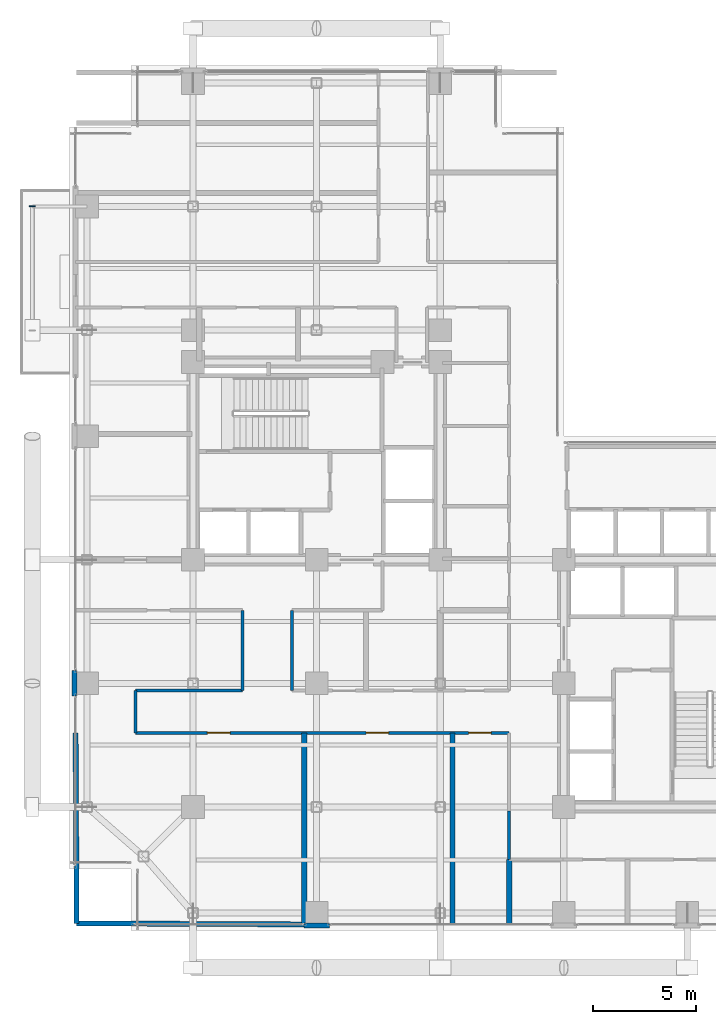
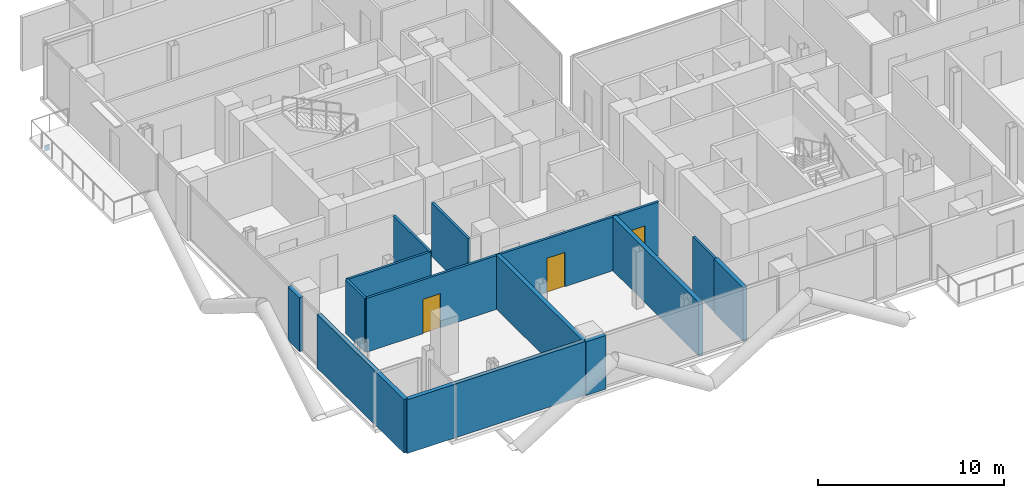
# One storey, part 21 of 28: 13 walls, 3 doors, 1 plate, 3 openings.
"""IFC4 building model written with IfcOpenShell, lengths in metres."""

from ifc_helpers import new_model, si_unit, direction, frame, frame_2d, origin, origin_2d, place, context, subcontext, project, spatial, rectangle, extrude, material, layer, layer_set, type_object, element, fill, save


model = new_model("IFC4")

# Units and contexts
model_context = context("Model", 3, precision=1e-05, world=origin(), true_north=direction((0.0, 1.0)))
body_context = subcontext(model_context, "Body", "Model", "MODEL_VIEW")
ifc_project = project(units=[si_unit("LENGTHUNIT", "METRE"), si_unit("AREAUNIT", "SQUARE_METRE"), si_unit("VOLUMEUNIT", "CUBIC_METRE"), si_unit("PLANEANGLEUNIT", "RADIAN"), si_unit("MASSUNIT", "GRAM", prefix="KILO"), si_unit("THERMODYNAMICTEMPERATUREUNIT", "KELVIN"), si_unit("POWERUNIT", "WATT")], contexts=[model_context])

# Site, building, storey
site_placement = place(None, origin())
site = spatial("IfcSite", under=ifc_project, at=site_placement, CompositionType="ELEMENT")
building_placement = place(site_placement, origin())
building = spatial("IfcBuilding", under=site, at=building_placement, Name="Svarakhadi Broadcast Tower", CompositionType="ELEMENT")
storey_placement = place(building_placement, frame((0.0, 0.0, 134.39990234375)))
storey = spatial("IfcBuildingStorey", under=building, at=storey_placement, Name="L32", CompositionType="ELEMENT", Elevation=134.39990234375)

# Plate
ifc_material_1 = material(Name="Steel S460ML (IS 2062 E450BR)", Category="steel")
ifc_layer_1 = layer(ifc_material_1, 0.028076171875)
ifc_layer_set_1 = layer_set([ifc_layer_1], Name="Steel S460ML (IS 2062 E450BR)")
plate_type = type_object("IfcPlateType", Name="Cap_Plate_CP02", PredefinedType="USERDEFINED", material=ifc_layer_set_1)
plate_placement = place(storey_placement, frame((-1.800048828125, 35.1650390625, -0.55517578125), z_axis=(0.0, 0.0, 1.0), x_axis=(1.0, 0.0, 0.0)))
element("IfcPlate", 1, at=plate_placement, inside=storey, type_object=plate_type, Name="L32 Balcony Spandrel End Cap Plate 2F-B", ObjectType="FLANGE_PLATE", PredefinedType="USERDEFINED", context=body_context, shape_type="SweptSolid", body=[
    extrude(rectangle(XDim=0.300048828125, YDim=0.0400390625, at=origin_2d()), origin(), (0.0, 0.0, 1.0), 0.360107421875),
])

# Walls
ifc_material_2 = material(Name="Double-Stud Acoustic Studio Partition STC-62", Category="gypsum")
ifc_layer_2 = layer(ifc_material_2, 0.25)
ifc_layer_set_2 = layer_set([ifc_layer_2], Name="Double-Stud Acoustic Studio Partition STC-62")
wall_type_1 = type_object("IfcWallType", Name="Wall_Acoust_250", PredefinedType="PARTITIONING", material=ifc_layer_set_2)
wall_1_placement = place(storey_placement, frame((21.35009765625, 0.300048828125, 0.0), z_axis=(0.0, 0.0, 1.0), x_axis=(0.0, 1.0, 0.0)))
element("IfcWall", 2, at=wall_1_placement, inside=storey, type_object=wall_type_1, Name="L32 Harbour Front Production Office Wall", PredefinedType="PARTITIONING", context=body_context, shape_type="SweptSolid", body=[
    extrude(rectangle(XDim=3.14990234375, YDim=0.25, at=frame_2d((1.574951171875, 0.0))), origin(), (0.0, 0.0, 1.0), 3.525146484375),
])
wall_2_placement = place(storey_placement, frame((0.35009765625, 0.35009765625, 0.0), z_axis=(0.0, 0.0, 1.0), x_axis=(0.999989714785, -0.004535451924, 0.0)))
element("IfcWall", 3, at=wall_2_placement, inside=storey, type_object=wall_type_1, Name="L32 Dolby Cinema Screening Theatre Wall", PredefinedType="PARTITIONING", context=body_context, shape_type="SweptSolid", body=[
    extrude(rectangle(XDim=11.034912109375, YDim=0.25, at=frame_2d((5.517578125, 0.0))), origin(), (0.0, 0.0, 1.0), 3.525146484375),
])
wall_3_placement = place(storey_placement, frame((0.35009765625, 0.35009765625, 0.0), z_axis=(0.0, 0.0, 1.0), x_axis=(-0.005410604923, 0.99998536257, 0.0)))
element("IfcWall", 4, at=wall_3_placement, inside=storey, type_object=wall_type_1, Name="L32 Dolby Cinema Screening Theatre Wall", PredefinedType="PARTITIONING", context=body_context, shape_type="SweptSolid", body=[
    extrude(rectangle(XDim=9.250244140625, YDim=0.25, at=frame_2d((4.625, 0.0))), origin(), (0.0, 0.0, 1.0), 3.525146484375),
])
for number, where, z_axis, x_axis, name in (
    (5, (11.39990234375, 0.300048828125, 0.0), (0.0, 0.0, 1.0), (0.0, 1.0, 0.0), "L32 Dolby Cinema Screening Theatre Wall"),
    (6, (18.60009765625, 0.300048828125, 0.0), (0.0, 0.0, 1.0), (0.0, 1.0, 0.0), "L32 Post-Production Coordination Office Wall"),
):
    element("IfcWall", number, at=place(storey_placement, frame(where, z_axis=z_axis, x_axis=x_axis)), inside=storey, type_object=wall_type_1, Name=name, PredefinedType="PARTITIONING", context=body_context, shape_type="SweptSolid", body=[
        extrude(rectangle(XDim=9.300048828125, YDim=0.25, at=frame_2d((4.64990234375, 0.0))), origin(), (0.0, 0.0, 1.0), 3.525146484375),
    ])
ifc_material_3 = material(Name="Concrete C40/50 (IS 456 M50)", Category="concrete")
ifc_layer_3 = layer(ifc_material_3, 0.239990234375)
ifc_layer_set_3 = layer_set([ifc_layer_3], Name="Concrete C40/50 (IS 456 M50)")
wall_type_2 = type_object("IfcWallType", Name="Wall_Ext_240", PredefinedType="SOLIDWALL", material=ifc_layer_set_3)
for number, where, z_axis, x_axis, name in (
    (7, (0.239990234375, 11.385009765625, 0.0), (0.0, 0.0, 1.0), (0.0, 1.0, 0.0), "L32 Perimeter Bronze Spandrel Closure Wall 01"),
    (8, (12.614990234375, 0.239990234375, 0.0), (0.0, 0.0, 1.0), (-1.0, 0.0, 0.0), "L32 Perimeter Bronze Spandrel Closure Wall 08"),
):
    element("IfcWall", number, at=place(storey_placement, frame(where, z_axis=z_axis, x_axis=x_axis)), inside=storey, type_object=wall_type_2, Name=name, PredefinedType="SOLIDWALL", context=body_context, shape_type="SweptSolid", body=[
        extrude(rectangle(XDim=1.22998046875, YDim=0.239990234375, at=frame_2d((0.614990234375, 0.0))), origin(), (0.0, 0.0, 1.0), 3.525146484375),
    ])
ifc_material_4 = material(Name="Autoclaved Aerated Concrete Blockwork 150 mm", Category="masonry")
ifc_layer_4 = layer(ifc_material_4, 0.14990234375)
ifc_layer_set_4 = layer_set([ifc_layer_4], Name="Autoclaved Aerated Concrete Blockwork 150 mm")
wall_type_3 = type_object("IfcWallType", Name="Wall_Part_150", PredefinedType="PARTITIONING", material=ifc_layer_set_4)
wall_4_placement = place(storey_placement, frame((21.35009765625, 3.449951171875, 0.0), z_axis=(0.0, 0.0, 1.0), x_axis=(0.0, 1.0, 0.0)))
element("IfcWall", 9, at=wall_4_placement, inside=storey, type_object=wall_type_3, Name="L32 Zone 2/3 Corridor Wall", PredefinedType="PARTITIONING", context=body_context, shape_type="SweptSolid", body=[
    extrude(rectangle(XDim=2.35009765625, YDim=0.14990234375, at=frame_2d((1.175048828125, 0.0))), origin(), (0.0, 0.0, 1.0), 3.525146484375),
])

# Wall, openings, doors
wall_5_placement = place(storey_placement, frame((21.35009765625, 9.60009765625, 0.0), z_axis=(0.0, 0.0, 1.0), x_axis=(-1.0, 0.0, 0.0)))
wall_5 = element("IfcWall", 10, at=wall_5_placement, inside=storey, type_object=wall_type_3, Name="L32 Zone 2/3 Corridor Wall", PredefinedType="PARTITIONING", context=body_context, shape_type="SweptSolid", body=[
    extrude(rectangle(XDim=18.150146484375, YDim=0.14990234375, at=frame_2d((9.0751953125, 0.0))), origin(), (0.0, 0.0, 1.0), 3.525146484375),
])
opening_1_placement = place(wall_5_placement, frame((13.550048828125, 0.0, 0.0)))
opening_1 = element("IfcOpeningElement", 11, at=opening_1_placement, cuts=wall_5, Name="Opening D-11", PredefinedType="OPENING", context=body_context, shape_type="SweptSolid", body=[
    extrude(rectangle(XDim=1.10009765625, YDim=2.25, at=frame_2d((0.550048828125, 1.125))), frame((0.0, 0.0849609375, 0.0), z_axis=(0.0, -1.0, 0.0), x_axis=(1.0, 0.0, 0.0)), (0.0, 0.0, 1.0), 0.169921875),
])
opening_2_placement = place(wall_5_placement, frame((5.85009765625, 0.0, 0.0)))
opening_2 = element("IfcOpeningElement", 12, at=opening_2_placement, cuts=wall_5, Name="Opening D-10", PredefinedType="OPENING", context=body_context, shape_type="SweptSolid", body=[
    extrude(rectangle(XDim=1.10009765625, YDim=2.25, at=frame_2d((0.550048828125, 1.125))), frame((0.0, 0.0849609375, 0.0), z_axis=(0.0, -1.0, 0.0), x_axis=(1.0, 0.0, 0.0)), (0.0, 0.0, 1.0), 0.169921875),
])
opening_3_placement = place(wall_5_placement, frame((0.875, 0.0, 0.0)))
opening_3 = element("IfcOpeningElement", 13, at=opening_3_placement, cuts=wall_5, Name="Opening D-11", PredefinedType="OPENING", context=body_context, shape_type="SweptSolid", body=[
    extrude(rectangle(XDim=1.10009765625, YDim=2.25, at=frame_2d((0.550048828125, 1.125))), frame((0.0, 0.0849609375, 0.0), z_axis=(0.0, -1.0, 0.0), x_axis=(1.0, 0.0, 0.0)), (0.0, 0.0, 1.0), 0.169921875),
])
ifc_material_5 = material(Name="Solid-Core Teak Veneer Acoustic Timber Leaf", Category="wood")
door_type_1 = type_object("IfcDoorType", Name="Door_Acoust_D10", OperationType="SINGLE_SWING_LEFT", PredefinedType="DOOR", material=ifc_material_5)
door_1_placement = place(opening_2_placement, origin())
door_1 = element("IfcDoor", 14, at=door_1_placement, inside=storey, type_object=door_type_1, Name="L32 Post-Production Coordination Office Door", OperationType="SINGLE_SWING_LEFT", OverallHeight=2.25, OverallWidth=1.10009765625, PredefinedType="DOOR", context=body_context, shape_type="SweptSolid", body=[
    extrude(rectangle(XDim=1.10009765625, YDim=2.25, at=frame_2d((0.550048828125, 1.125))), frame((0.0, 0.02490234375, 0.0), z_axis=(0.0, -1.0, 0.0), x_axis=(1.0, 0.0, 0.0)), (0.0, 0.0, 1.0), 0.050048828125),
])
fill(opening_2, door_1)
door_type_2 = type_object("IfcDoorType", Name="Door_Acoust_D11", OperationType="SINGLE_SWING_RIGHT", PredefinedType="DOOR", material=ifc_material_5)
door_2_placement = place(opening_1_placement, origin())
door_2 = element("IfcDoor", 15, at=door_2_placement, inside=storey, type_object=door_type_2, Name="L32 Dolby Cinema Screening Theatre Door", OperationType="SINGLE_SWING_RIGHT", OverallHeight=2.25, OverallWidth=1.10009765625, PredefinedType="DOOR", context=body_context, shape_type="SweptSolid", body=[
    extrude(rectangle(XDim=1.10009765625, YDim=2.25, at=frame_2d((0.550048828125, 1.125))), frame((0.0, 0.02490234375, 0.0), z_axis=(0.0, -1.0, 0.0), x_axis=(1.0, 0.0, 0.0)), (0.0, 0.0, 1.0), 0.050048828125),
])
fill(opening_1, door_2)
door_3_placement = place(opening_3_placement, origin())
door_3 = element("IfcDoor", 16, at=door_3_placement, inside=storey, type_object=door_type_2, Name="L32 Hospitality Catering Kitchen Door", OperationType="SINGLE_SWING_RIGHT", OverallHeight=2.25, OverallWidth=1.10009765625, PredefinedType="DOOR", context=body_context, shape_type="SweptSolid", body=[
    extrude(rectangle(XDim=1.10009765625, YDim=2.25, at=frame_2d((0.550048828125, 1.125))), frame((0.0, 0.02490234375, 0.0), z_axis=(0.0, -1.0, 0.0), x_axis=(1.0, 0.0, 0.0)), (0.0, 0.0, 1.0), 0.050048828125),
])
fill(opening_3, door_3)

# Walls
wall_6_placement = place(storey_placement, frame((3.199951171875, 9.60009765625, 0.0), z_axis=(0.0, 0.0, 1.0), x_axis=(0.0, 1.0, 0.0)))
element("IfcWall", 17, at=wall_6_placement, inside=storey, type_object=wall_type_3, Name="L32 Zone 2/3 Corridor Wall", PredefinedType="PARTITIONING", context=body_context, shape_type="SweptSolid", body=[
    extrude(rectangle(XDim=2.0498046875, YDim=0.14990234375, at=frame_2d((1.02490234375, 0.0))), origin(), (0.0, 0.0, 1.0), 3.525146484375),
])
wall_7_placement = place(storey_placement, frame((3.199951171875, 11.64990234375, 0.0), z_axis=(0.0, 0.0, 1.0), x_axis=(1.0, 0.0, 0.0)))
element("IfcWall", 18, at=wall_7_placement, inside=storey, type_object=wall_type_3, Name="L32 Zone 2/3 Corridor Wall", PredefinedType="PARTITIONING", context=body_context, shape_type="SweptSolid", body=[
    extrude(rectangle(XDim=5.199951171875, YDim=0.14990234375, at=frame_2d((2.60009765625, 0.0))), origin(), (0.0, 0.0, 1.0), 3.525146484375),
])
for number, where, z_axis, x_axis, name in (
    (19, (8.39990234375, 11.64990234375, 0.0), (0.0, 0.0, 1.0), (0.0, 1.0, 0.0), "L32 Zone 2/3 Corridor Wall"),
    (20, (10.800048828125, 15.550048828125, 0.0), (0.0, 0.0, 1.0), (0.0, -1.0, 0.0), "L32 Zone 2/3 Corridor Wall"),
):
    element("IfcWall", number, at=place(storey_placement, frame(where, z_axis=z_axis, x_axis=x_axis)), inside=storey, type_object=wall_type_3, Name=name, PredefinedType="PARTITIONING", context=body_context, shape_type="SweptSolid", body=[
        extrude(rectangle(XDim=3.900146484375, YDim=0.14990234375, at=frame_2d((1.9501953125, 0.0))), origin(), (0.0, 0.0, 1.0), 3.525146484375),
    ])

save(model, "model.ifc")
